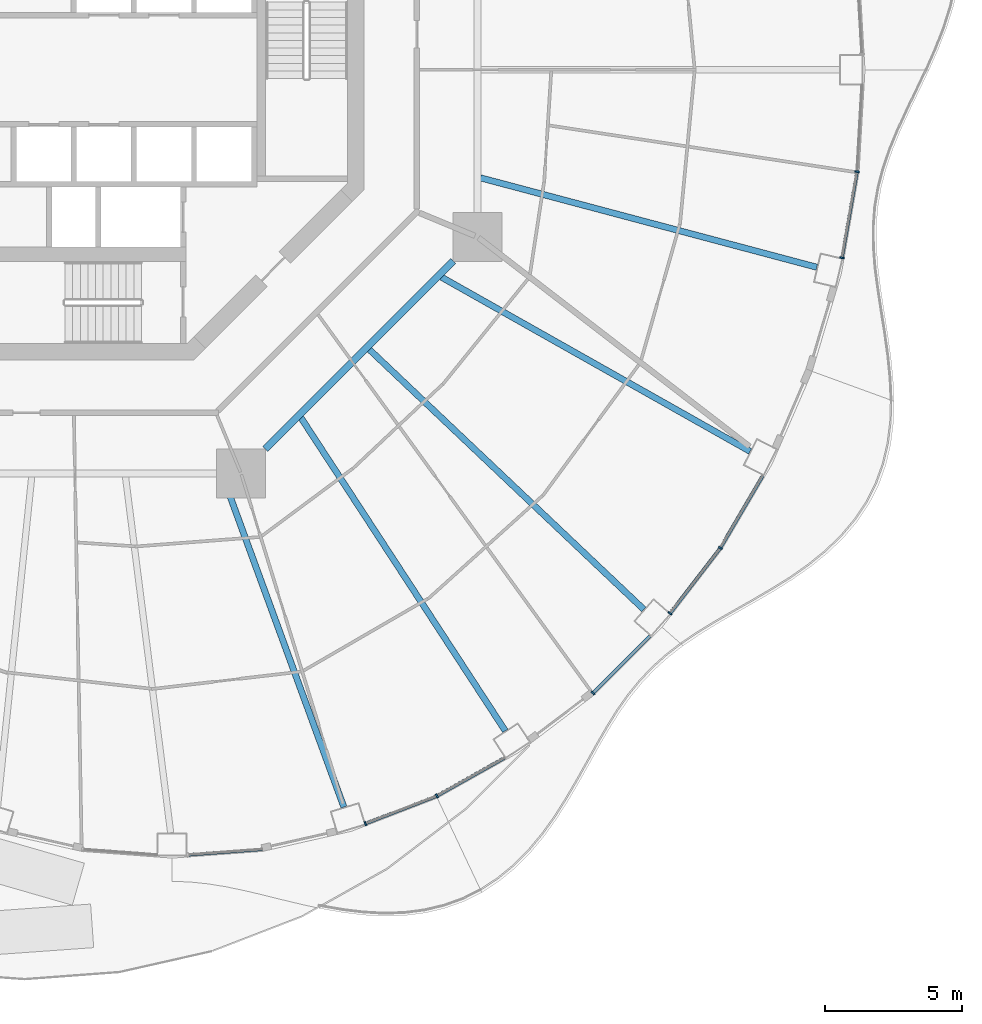
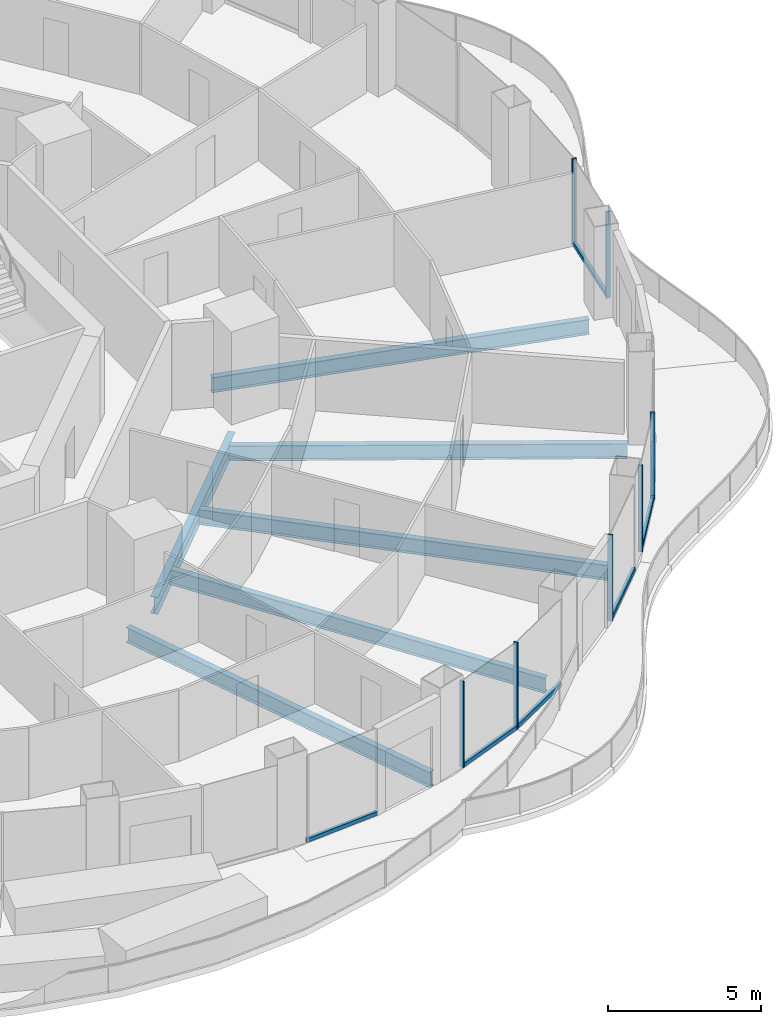
# One storey, part 4 of 20: 14 members, 6 beams, 8 elements without a shape of their own.
"""IFC4 building model written with IfcOpenShell, lengths in metres."""

import ifcopenshell
import ifcopenshell.guid

model = None  # the IFC model being written
_history = None  # IfcOwnerHistory: only IFC2X3 demands one
_inside = {}  # id of a spatial element -> (the spatial element, [elements in it])
_under = {}  # id of a project, library or spatial element -> (it, [spatial elements below it])
_declared = {}  # id of a project -> (the project, [libraries it declares])
_typed = {}  # id of a type object -> (the type object, [elements of that type])
_made_of = {}  # id of a material, layer set ... -> (it, [elements and type objects made of it])


def new_model(schema):
    """Start an empty IFC model of exactly this schema.

    Asked for "IFC4X3", IfcOpenShell would pick the latest addendum, in which some entities
    have other attributes; the version numbers below select the first issue.
    IFC2X3 requires an IfcOwnerHistory on every rooted entity: one is made here for all.
    """
    global model, _history
    if schema == "IFC4X3":
        model = ifcopenshell.file(schema_version=(4, 3, 0, 0))
    else:
        model = ifcopenshell.file(schema=schema)
    _inside.clear()
    _under.clear()
    _declared.clear()
    _typed.clear()
    _made_of.clear()
    _history = None
    if model.schema == "IFC2X3":
        org = make("IfcOrganization", Name="unknown")
        user = make(
            "IfcPersonAndOrganization",
            ThePerson=make("IfcPerson", FamilyName="unknown"),
            TheOrganization=org,
        )
        app = make(
            "IfcApplication",
            ApplicationDeveloper=org,
            Version="unknown",
            ApplicationFullName="unknown",
            ApplicationIdentifier="unknown",
        )
        _history = make(
            "IfcOwnerHistory",
            OwningUser=user,
            OwningApplication=app,
            ChangeAction="ADDED",
            CreationDate=0,
        )
    return model


def make(cls, **values):
    """One entity of the class cls with the attributes given. An attribute that is None is left unset."""
    return model.create_entity(
        cls, **{name: value for name, value in values.items() if value is not None}
    )


def rooted(cls, **values):
    """An entity with a GlobalId (a new one), such as an element, a storey or a relation."""
    return make(cls, GlobalId=ifcopenshell.guid.new(), OwnerHistory=_history, **values)


def si_unit(unit_type, name, prefix=None):
    """IfcSIUnit, for example si_unit("LENGTHUNIT", "METRE", prefix="MILLI")."""
    return make("IfcSIUnit", UnitType=unit_type, Prefix=prefix, Name=name)


def assignment(units):
    """IfcUnitAssignment: the units of a project."""
    return None if units is None else make("IfcUnitAssignment", Units=units)


def point(xyz):
    """IfcCartesianPoint."""
    return None if xyz is None else make("IfcCartesianPoint", Coordinates=xyz)


def direction(xyz):
    """IfcDirection."""
    return None if xyz is None else make("IfcDirection", DirectionRatios=xyz)


def frame(location, z_axis=None, x_axis=None):
    """IfcAxis2Placement3D, a coordinate frame: its origin and axes. An axis left out is left unset."""
    return make(
        "IfcAxis2Placement3D",
        Location=point(location),
        Axis=direction(z_axis),
        RefDirection=direction(x_axis),
    )


def frame_2d(location, x_axis=None):
    """IfcAxis2Placement2D, a coordinate frame in the plane: its origin and x axis."""
    return make(
        "IfcAxis2Placement2D", Location=point(location), RefDirection=direction(x_axis)
    )


def origin():
    """The frame at (0, 0, 0) with its axes left unset."""
    return frame((0.0, 0.0, 0.0))


def origin_2d():
    """The frame at (0, 0) in the plane with its x axis left unset."""
    return frame_2d((0.0, 0.0))


def place(relative_to, where):
    """IfcLocalPlacement: puts the frame where relative to a parent placement (None: the world)."""
    return make(
        "IfcLocalPlacement", PlacementRelTo=relative_to, RelativePlacement=where
    )


def context(
    kind, dimensions, precision=None, world=None, true_north=None, identifier=None
):
    """IfcGeometricRepresentationContext, for example the 3D "Model" context."""
    return make(
        "IfcGeometricRepresentationContext",
        ContextIdentifier=identifier,
        ContextType=kind,
        CoordinateSpaceDimension=dimensions,
        Precision=precision,
        WorldCoordinateSystem=world,
        TrueNorth=true_north,
    )


def subcontext(parent, identifier, kind, view, scale=None):
    """IfcGeometricRepresentationSubContext, for example "Body" below "Model"."""
    return make(
        "IfcGeometricRepresentationSubContext",
        ContextIdentifier=identifier,
        ContextType=kind,
        ParentContext=parent,
        TargetScale=scale,
        TargetView=view,
    )


def project(units=None, contexts=None):
    """IfcProject with its units and contexts."""
    return rooted(
        "IfcProject",
        Name="project",
        RepresentationContexts=contexts,
        UnitsInContext=assignment(units),
    )


def spatial(cls, under=None, at=None, **own):
    """A site, building, storey or space (cls), placed at a placement, below another one or the project."""
    s = rooted(cls, ObjectPlacement=at, **own)
    if under is not None:
        _under.setdefault(under.id(), (under, []))[1].append(s)
    return s


def profile(cls, at=None, kind="AREA", **sizes):
    """A parametric profile (cls). Its sizes go by their IFC names, for example OverallWidth=200.0."""
    return make(cls, ProfileType=kind, Position=at, **sizes)


def rectangle(**sizes):
    """IfcRectangleProfileDef."""
    return profile("IfcRectangleProfileDef", **sizes)


def i_section(**sizes):
    """IfcIShapeProfileDef."""
    return profile("IfcIShapeProfileDef", **sizes)


def extrude(swept, where, along, depth):
    """IfcExtrudedAreaSolid: the profile swept, set in the frame where, extruded along a direction by depth."""
    return make(
        "IfcExtrudedAreaSolid",
        SweptArea=swept,
        Position=where,
        ExtrudedDirection=direction(along),
        Depth=depth,
    )


def shape(context_of_items, identifier, shape_type, items):
    """IfcShapeRepresentation: the items that make up one representation, for example the "Body"."""
    return make(
        "IfcShapeRepresentation",
        ContextOfItems=context_of_items,
        RepresentationIdentifier=identifier,
        RepresentationType=shape_type,
        Items=items,
    )


def material(Name=None, Category=None):
    """IfcMaterial."""
    return make("IfcMaterial", Name=Name, Category=Category)


def layer(
    of_material, thickness, ventilated=None, Name=None, Category=None, Priority=None
):
    """IfcMaterialLayer: one layer of a wall or slab, of a material (None: an air gap)."""
    return make(
        "IfcMaterialLayer",
        Material=of_material,
        LayerThickness=thickness,
        IsVentilated=ventilated,
        Name=Name,
        Category=Category,
        Priority=Priority,
    )


def layer_set(layers, Name=None):
    """IfcMaterialLayerSet."""
    return make("IfcMaterialLayerSet", MaterialLayers=layers, LayerSetName=Name)


def material_profile(
    of_material, cross_section, Name=None, Category=None, Priority=None
):
    """IfcMaterialProfile: a cross section and its material."""
    return make(
        "IfcMaterialProfile",
        Name=Name,
        Material=of_material,
        Profile=cross_section,
        Priority=Priority,
        Category=Category,
    )


def profile_set(profiles, Name=None, composite=None):
    """IfcMaterialProfileSet."""
    return make(
        "IfcMaterialProfileSet",
        Name=Name,
        MaterialProfiles=profiles,
        CompositeProfile=composite,
    )


def made_of(thing, what):
    """Note that an element or type object is made of a material, layer set ...; save() writes the relation."""
    if what is not None:
        _made_of.setdefault(what.id(), (what, []))[1].append(thing)
    return thing


def type_object(cls, material=None, **own):
    """A type object (cls), such as IfcWallType, which elements share."""
    return made_of(rooted(cls, **own), material)


def element(
    cls,
    number,
    at=None,
    inside=None,
    cuts=None,
    type_object=None,
    material=None,
    context=None,
    identifier="Body",
    shape_type=None,
    held_by="IfcProductDefinitionShape",
    body=None,
    shapes=None,
    **own,
):
    """One element of the class cls, such as IfcWall. Its Tag is "e" and its number.

    at: its placement. inside: the storey or other place that contains it. cuts: it is an
    opening in that element (IfcRelVoidsElement). A single representation is given by context,
    identifier, shape_type and body (its items); several are given by shapes. held_by: the class
    of the entity that holds the representations. save() writes the other relations.
    """
    e = rooted(cls, Tag="e%d" % number, ObjectPlacement=at, **own)
    if body is not None:
        shapes = [shape(context, identifier, shape_type, body)]
    if shapes is not None:
        e.Representation = make(held_by, Representations=shapes)
    if inside is not None:
        _inside.setdefault(inside.id(), (inside, []))[1].append(e)
    if cuts is not None:
        rooted(
            "IfcRelVoidsElement", RelatingBuildingElement=cuts, RelatedOpeningElement=e
        )
    if type_object is not None:
        _typed.setdefault(type_object.id(), (type_object, []))[1].append(e)
    return made_of(e, material)


def aggregate(whole, parts):
    """IfcRelAggregates: a whole, such as a stair, and the parts it consists of."""
    return rooted("IfcRelAggregates", RelatingObject=whole, RelatedObjects=parts)


def save(model, path):
    """Write the relations noted so far, then the file.

    IfcRelAggregates (storeys below a building ...), IfcRelContainedInSpatialStructure (elements
    in a storey), IfcRelDefinesByType, IfcRelAssociatesMaterial and IfcRelDeclares: one each for
    every whole, place, type object, material and project.
    """
    for whole, parts in _under.values():
        aggregate(whole, parts)
    for where, things in _inside.values():
        rooted(
            "IfcRelContainedInSpatialStructure",
            RelatedElements=things,
            RelatingStructure=where,
        )
    for kind, things in _typed.values():
        rooted("IfcRelDefinesByType", RelatedObjects=things, RelatingType=kind)
    for what, things in _made_of.values():
        rooted("IfcRelAssociatesMaterial", RelatedObjects=things, RelatingMaterial=what)
    for by, libraries in _declared.values():
        rooted("IfcRelDeclares", RelatingContext=by, RelatedDefinitions=libraries)
    model.write(path)


model = new_model("IFC4")

# Units and contexts
model_context = context("Model", 3, precision=1e-05, world=origin(), true_north=direction((0.0, 1.0)))
body_context = subcontext(model_context, "Body", "Model", "MODEL_VIEW")
ifc_project = project(units=[si_unit("LENGTHUNIT", "METRE"), si_unit("AREAUNIT", "SQUARE_METRE"), si_unit("VOLUMEUNIT", "CUBIC_METRE"), si_unit("PLANEANGLEUNIT", "RADIAN"), si_unit("MASSUNIT", "GRAM", prefix="KILO")], contexts=[model_context])

# Site, building, storey
site_placement = place(None, origin())
site = spatial("IfcSite", under=ifc_project, at=site_placement, CompositionType="ELEMENT")
building_placement = place(site_placement, origin())
building = spatial("IfcBuilding", under=site, at=building_placement, Name="Nagisa Residences", CompositionType="ELEMENT")
storey_placement = place(building_placement, frame((0.0, 0.0, 165.89990234375)))
storey = spatial("IfcBuildingStorey", under=building, at=storey_placement, Name="L41", CompositionType="ELEMENT", Elevation=165.89990234375)

# Curtain wall, member
ifc_material_1 = material(Name="Concrete-coloured aluminium curtain wall system", Category="concrete")
ifc_layer = layer(ifc_material_1, 0.159912109375)
ifc_layer_set = layer_set([ifc_layer], Name="CW1 CURTAIN WALL")
curtain_wall_type = type_object("IfcCurtainWallType", Name="CW1 CURTAIN WALL", PredefinedType="NOTDEFINED", material=ifc_layer_set)
curtain_wall_1_placement = place(storey_placement, origin())
curtain_wall_1 = element("IfcCurtainWall", 1, at=curtain_wall_1_placement, inside=storey, type_object=curtain_wall_type, Name="cw:CW1:L41:38", PredefinedType="NOTDEFINED")
ifc_material_2 = material(Name="Concrete-coloured aluminium", Category="concrete")
ifc_material_profile_1 = material_profile(ifc_material_2, rectangle(XDim=0.159912109375, YDim=0.06005859375, at=origin_2d()), Name="CW1 MULLION 160x60")
ifc_profile_set_1 = profile_set([ifc_material_profile_1], Name="Concrete-coloured aluminium")
member_type_1 = type_object("IfcMemberType", Name="CW1 MULLION 160x60", PredefinedType="MULLION", material=ifc_profile_set_1)
member_1_placement = place(storey_placement, frame((10.6796875, -27.607421875, 0.0), z_axis=(0.0, 0.0, 1.0), x_axis=(-0.360327770268, 0.932825759707, 0.0)))
member_1 = element("IfcMember", 2, at=member_1_placement, type_object=member_type_1, Name="CW1 mullion", PredefinedType="MULLION", context=body_context, shape_type="SweptSolid", body=[
    extrude(rectangle(XDim=0.159912109375, YDim=0.06005859375, at=origin_2d()), origin(), (0.0, 0.0, 1.0), 3.440185546875),
])

curtain_wall_2_placement = place(storey_placement, origin())
curtain_wall_2 = element("IfcCurtainWall", 3, at=curtain_wall_2_placement, inside=storey, type_object=curtain_wall_type, Name="cw:CW1:L41:39", PredefinedType="NOTDEFINED")
member_2_placement = place(storey_placement, frame((13.297607421875, -26.592529296875, 0.0), z_axis=(0.0, 0.0, 1.0), x_axis=(-0.489376918501, 0.872072377523, 0.0)))
member_2 = element("IfcMember", 4, at=member_2_placement, type_object=member_type_1, Name="CW1 mullion", PredefinedType="MULLION", context=body_context, shape_type="SweptSolid", body=[
    extrude(rectangle(XDim=0.159912109375, YDim=0.06005859375, at=origin_2d()), origin(), (0.0, 0.0, 1.0), 3.440185546875),
])

curtain_wall_3_placement = place(storey_placement, origin())
curtain_wall_3 = element("IfcCurtainWall", 5, at=curtain_wall_3_placement, inside=storey, type_object=curtain_wall_type, Name="cw:CW1:L41:41", PredefinedType="NOTDEFINED")
member_3_placement = place(storey_placement, frame((19.011962890625, -22.830322265625, 0.0), z_axis=(0.0, 0.0, 1.0), x_axis=(-0.706376885714, 0.707835924016, 0.0)))
member_3 = element("IfcMember", 6, at=member_3_placement, type_object=member_type_1, Name="CW1 mullion", PredefinedType="MULLION", context=body_context, shape_type="SweptSolid", body=[
    extrude(rectangle(XDim=0.159912109375, YDim=0.06005859375, at=origin_2d()), origin(), (0.0, 0.0, 1.0), 3.440185546875),
])

curtain_wall_4_placement = place(storey_placement, origin())
curtain_wall_4 = element("IfcCurtainWall", 7, at=curtain_wall_4_placement, inside=storey, type_object=curtain_wall_type, Name="cw:CW1:L41:42", PredefinedType="NOTDEFINED")
member_4_placement = place(storey_placement, frame((21.83349609375, -19.909423828125, 0.0), z_axis=(0.0, 0.0, 1.0), x_axis=(-0.792070340816, 0.610429828235, 0.0)))
member_4 = element("IfcMember", 8, at=member_4_placement, type_object=member_type_1, Name="CW1 mullion", PredefinedType="MULLION", context=body_context, shape_type="SweptSolid", body=[
    extrude(rectangle(XDim=0.159912109375, YDim=0.06005859375, at=origin_2d()), origin(), (0.0, 0.0, 1.0), 3.440185546875),
])

curtain_wall_5_placement = place(storey_placement, origin())
curtain_wall_5 = element("IfcCurtainWall", 9, at=curtain_wall_5_placement, inside=storey, type_object=curtain_wall_type, Name="cw:CW1:L41:43", PredefinedType="NOTDEFINED")
member_5_placement = place(storey_placement, frame((23.677490234375, -17.51171875, 0.0), z_axis=(0.0, 0.0, 1.0), x_axis=(-0.862328898214, 0.506348567002, 0.0)))
member_5 = element("IfcMember", 10, at=member_5_placement, type_object=member_type_1, Name="CW1 mullion", PredefinedType="MULLION", context=body_context, shape_type="SweptSolid", body=[
    extrude(rectangle(XDim=0.159912109375, YDim=0.06005859375, at=origin_2d()), origin(), (0.0, 0.0, 1.0), 3.440185546875),
])

curtain_wall_6_placement = place(storey_placement, origin())
curtain_wall_6 = element("IfcCurtainWall", 11, at=curtain_wall_6_placement, inside=storey, type_object=curtain_wall_type, Name="cw:CW1:L41:46", PredefinedType="NOTDEFINED")
member_6_placement = place(storey_placement, frame((28.13134765625, -6.88818359375, 0.0), z_axis=(0.0, 0.0, 1.0), x_axis=(-0.985063604377, 0.172190868898, 0.0)))
member_6 = element("IfcMember", 12, at=member_6_placement, type_object=member_type_1, Name="CW1 mullion", PredefinedType="MULLION", context=body_context, shape_type="SweptSolid", body=[
    extrude(rectangle(XDim=0.159912109375, YDim=0.06005859375, at=origin_2d()), origin(), (0.0, 0.0, 1.0), 3.440185546875),
])

curtain_wall_7_placement = place(storey_placement, origin())
curtain_wall_7 = element("IfcCurtainWall", 13, at=curtain_wall_7_placement, inside=storey, type_object=curtain_wall_type, Name="cw:CW1:L41:47", PredefinedType="NOTDEFINED")
member_7_placement = place(storey_placement, frame((28.6796875, -3.734375, 0.0), z_axis=(0.0, 0.0, 1.0), x_axis=(-0.998345305184, 0.057503492216, 0.0)))
member_7 = element("IfcMember", 14, at=member_7_placement, type_object=member_type_1, Name="CW1 mullion", PredefinedType="MULLION", context=body_context, shape_type="SweptSolid", body=[
    extrude(rectangle(XDim=0.159912109375, YDim=0.06005859375, at=origin_2d()), origin(), (0.0, 0.0, 1.0), 3.440185546875),
])
aggregate(curtain_wall_7, [member_7])

curtain_wall_8_placement = place(storey_placement, origin())
curtain_wall_8 = element("IfcCurtainWall", 15, at=curtain_wall_8_placement, inside=storey, type_object=curtain_wall_type, Name="cw:CW1:L41:36", PredefinedType="NOTDEFINED")
ifc_material_3 = material(Name="Concrete-coloured aluminium", Category="concrete")
ifc_material_profile_2 = material_profile(ifc_material_3, rectangle(XDim=0.1201171875, YDim=0.14990234375, at=origin_2d()), Name="CW1 TRANSOM 120x150")
ifc_profile_set_2 = profile_set([ifc_material_profile_2], Name="Concrete-coloured aluminium")
member_type_2 = type_object("IfcMemberType", Name="CW1 TRANSOM 120x150", PredefinedType="USERDEFINED", material=ifc_profile_set_2)
member_8_placement = place(storey_placement, frame((4.142578125, -28.75439453125, 0.0751953125), z_axis=(0.997225528735, 0.074439538143, 0.0), x_axis=(-0.074439538143, 0.997225528735, 0.0)))
member_8 = element("IfcMember", 16, at=member_8_placement, type_object=member_type_2, Name="CW1 transom", ObjectType="TRANSOM", PredefinedType="USERDEFINED", context=body_context, shape_type="SweptSolid", body=[
    extrude(rectangle(XDim=0.1201171875, YDim=0.14990234375, at=origin_2d()), origin(), (0.0, 0.0, 1.0), 2.771240234375),
])
aggregate(curtain_wall_8, [member_8])

# Member
member_9_placement = place(storey_placement, frame((10.65185546875, -27.618408203125, 0.0751953125), z_axis=(0.932795487898, 0.360406128911, 0.0), x_axis=(-0.360406128911, 0.932795487898, 0.0)))
member_9 = element("IfcMember", 17, at=member_9_placement, type_object=member_type_2, Name="CW1 transom", ObjectType="TRANSOM", PredefinedType="USERDEFINED", context=body_context, shape_type="SweptSolid", body=[
    extrude(rectangle(XDim=0.1201171875, YDim=0.14990234375, at=origin_2d()), origin(), (0.0, 0.0, 1.0), 2.8193359375),
])

aggregate(curtain_wall_1, [member_1, member_9])

member_10_placement = place(storey_placement, frame((13.271484375, -26.607177734375, 0.0751953125), z_axis=(0.872078262455, 0.489366431371, 0.0), x_axis=(-0.489366431371, 0.872078262455, 0.0)))
member_10 = element("IfcMember", 18, at=member_10_placement, type_object=member_type_2, Name="CW1 transom", ObjectType="TRANSOM", PredefinedType="USERDEFINED", context=body_context, shape_type="SweptSolid", body=[
    extrude(rectangle(XDim=0.1201171875, YDim=0.14990234375, at=origin_2d()), origin(), (0.0, 0.0, 1.0), 2.863525390625),
])

aggregate(curtain_wall_2, [member_2, member_10])

member_11_placement = place(storey_placement, frame((18.99072265625, -22.8515625, 0.0751953125), z_axis=(0.707803821372, 0.706409053206, 0.0), x_axis=(-0.706409053206, 0.707803821372, 0.0)))
member_11 = element("IfcMember", 19, at=member_11_placement, type_object=member_type_2, Name="CW1 transom", ObjectType="TRANSOM", PredefinedType="USERDEFINED", context=body_context, shape_type="SweptSolid", body=[
    extrude(rectangle(XDim=0.1201171875, YDim=0.14990234375, at=origin_2d()), origin(), (0.0, 0.0, 1.0), 2.9755859375),
])

aggregate(curtain_wall_3, [member_3, member_11])

member_12_placement = place(storey_placement, frame((21.815185546875, -19.933349609375, 0.0751953125), z_axis=(0.610398538814, 0.792094453846, 0.0), x_axis=(-0.792094453846, 0.610398538814, 0.0)))
member_12 = element("IfcMember", 20, at=member_12_placement, type_object=member_type_2, Name="CW1 transom", ObjectType="TRANSOM", PredefinedType="USERDEFINED", context=body_context, shape_type="SweptSolid", body=[
    extrude(rectangle(XDim=0.1201171875, YDim=0.14990234375, at=origin_2d()), origin(), (0.0, 0.0, 1.0), 3.035400390625),
])

aggregate(curtain_wall_4, [member_4, member_12])

member_13_placement = place(storey_placement, frame((23.662353515625, -17.53759765625, 0.0751953125), z_axis=(0.506367803691, 0.862317602386, 0.0), x_axis=(-0.862317602386, 0.506367803691, 0.0)))
member_13 = element("IfcMember", 21, at=member_13_placement, type_object=member_type_2, Name="CW1 transom", ObjectType="TRANSOM", PredefinedType="USERDEFINED", context=body_context, shape_type="SweptSolid", body=[
    extrude(rectangle(XDim=0.1201171875, YDim=0.14990234375, at=origin_2d()), origin(), (0.0, 0.0, 1.0), 3.092041015625),
])

aggregate(curtain_wall_5, [member_5, member_13])

member_14_placement = place(storey_placement, frame((28.126220703125, -6.917724609375, 0.0751953125), z_axis=(0.172236453102, 0.98505563509, 0.0), x_axis=(-0.98505563509, 0.172236453102, 0.0)))
member_14 = element("IfcMember", 22, at=member_14_placement, type_object=member_type_2, Name="CW1 transom", ObjectType="TRANSOM", PredefinedType="USERDEFINED", context=body_context, shape_type="SweptSolid", body=[
    extrude(rectangle(XDim=0.1201171875, YDim=0.14990234375, at=origin_2d()), origin(), (0.0, 0.0, 1.0), 3.210693359375),
])

aggregate(curtain_wall_6, [member_6, member_14])

# Beams
ifc_material_4 = material(Name="Steel ASTM A572 Gr 50", Category="steel")
ifc_material_profile_3 = material_profile(ifc_material_4, i_section(OverallWidth=0.25390625, OverallDepth=0.68408203125, WebThickness=0.012451171875, FlangeThickness=0.018798828125, at=origin_2d()), Name="W690x140")
ifc_profile_set_3 = profile_set([ifc_material_profile_3], Name="Steel ASTM A572 Gr 50")
beam_type_1 = type_object("IfcBeamType", Name="Inner ring beam W690x140", PredefinedType="BEAM", material=ifc_profile_set_3)
beam_1_placement = place(storey_placement, frame((7.0087890625, -13.896240234375, -0.601806640625), z_axis=(0.707106781187, 0.707106781187, 0.0), x_axis=(-0.707106781187, 0.707106781187, 0.0)))
element("IfcBeam", 23, at=beam_1_placement, inside=storey, type_object=beam_type_1, Name="beam:L41:ib7", PredefinedType="BEAM", context=body_context, shape_type="SweptSolid", body=[
    extrude(i_section(OverallWidth=0.25390625, OverallDepth=0.68408203125, WebThickness=0.012451171875, FlangeThickness=0.018798828125, at=origin_2d()), origin(), (0.0, 0.0, 1.0), 9.740234375),
])
ifc_material_5 = material(Name="Steel ASTM A572 Gr 50", Category="steel")
ifc_material_profile_4 = material_profile(ifc_material_5, i_section(OverallWidth=0.22802734375, OverallDepth=0.60302734375, WebThickness=0.010498046875, FlangeThickness=0.014892578125, at=origin_2d()), Name="W610x101")
ifc_profile_set_4 = profile_set([ifc_material_profile_4], Name="Steel ASTM A572 Gr 50")
beam_type_2 = type_object("IfcBeamType", Name="Radial beam W610x101", PredefinedType="BEAM", material=ifc_profile_set_4)
beam_2_placement = place(storey_placement, frame((9.889892578125, -27.003662109375, -0.5615234375), z_axis=(-0.343895391511, 0.939007965726, 0.0), x_axis=(-0.939007965726, -0.343895391511, 0.0)))
element("IfcBeam", 24, at=beam_2_placement, inside=storey, type_object=beam_type_2, Name="beam:L41:rb20", PredefinedType="BEAM", context=body_context, shape_type="SweptSolid", body=[
    extrude(i_section(OverallWidth=0.22802734375, OverallDepth=0.60302734375, WebThickness=0.010498046875, FlangeThickness=0.014892578125, at=origin_2d()), origin(), (0.0, 0.0, 1.0), 12.900146484375),
])
beam_3_placement = place(storey_placement, frame((15.802490234375, -24.21337890625, -0.5615234375), z_axis=(-0.546542831659, 0.837431151297, 0.0), x_axis=(-0.837431151297, -0.546542831659, 0.0)))
element("IfcBeam", 25, at=beam_3_placement, inside=storey, type_object=beam_type_2, Name="beam:L41:rb21", PredefinedType="BEAM", context=body_context, shape_type="SweptSolid", body=[
    extrude(i_section(OverallWidth=0.22802734375, OverallDepth=0.60302734375, WebThickness=0.010498046875, FlangeThickness=0.014892578125, at=origin_2d()), origin(), (0.0, 0.0, 1.0), 13.698974609375),
])
beam_4_placement = place(storey_placement, frame((20.876708984375, -19.768310546875, -0.5615234375), z_axis=(-0.726111007315, 0.68757749022, 0.0), x_axis=(-0.68757749022, -0.726111007315, 0.0)))
element("IfcBeam", 26, at=beam_4_placement, inside=storey, type_object=beam_type_2, Name="beam:L41:rb22", PredefinedType="BEAM", context=body_context, shape_type="SweptSolid", body=[
    extrude(i_section(OverallWidth=0.22802734375, OverallDepth=0.60302734375, WebThickness=0.010498046875, FlangeThickness=0.014892578125, at=origin_2d()), origin(), (0.0, 0.0, 1.0), 13.8564453125),
])
beam_5_placement = place(storey_placement, frame((24.767578125, -13.97607421875, -0.5615234375), z_axis=(-0.870902727173, 0.491455430128, 0.0), x_axis=(-0.491455430128, -0.870902727173, 0.0)))
element("IfcBeam", 27, at=beam_5_placement, inside=storey, type_object=beam_type_2, Name="beam:L41:rb23", PredefinedType="BEAM", context=body_context, shape_type="SweptSolid", body=[
    extrude(i_section(OverallWidth=0.22802734375, OverallDepth=0.60302734375, WebThickness=0.010498046875, FlangeThickness=0.014892578125, at=origin_2d()), origin(), (0.0, 0.0, 1.0), 12.982177734375),
])
beam_6_placement = place(storey_placement, frame((27.211669921875, -7.2333984375, -0.5615234375), z_axis=(-0.966439308202, 0.256895043864, 0.0), x_axis=(-0.256895043864, -0.966439308202, 0.0)))
element("IfcBeam", 28, at=beam_6_placement, inside=storey, type_object=beam_type_2, Name="beam:L41:rb24", PredefinedType="BEAM", context=body_context, shape_type="SweptSolid", body=[
    extrude(i_section(OverallWidth=0.22802734375, OverallDepth=0.60302734375, WebThickness=0.010498046875, FlangeThickness=0.014892578125, at=origin_2d()), origin(), (0.0, 0.0, 1.0), 12.75),
])

save(model, "model.ifc")
